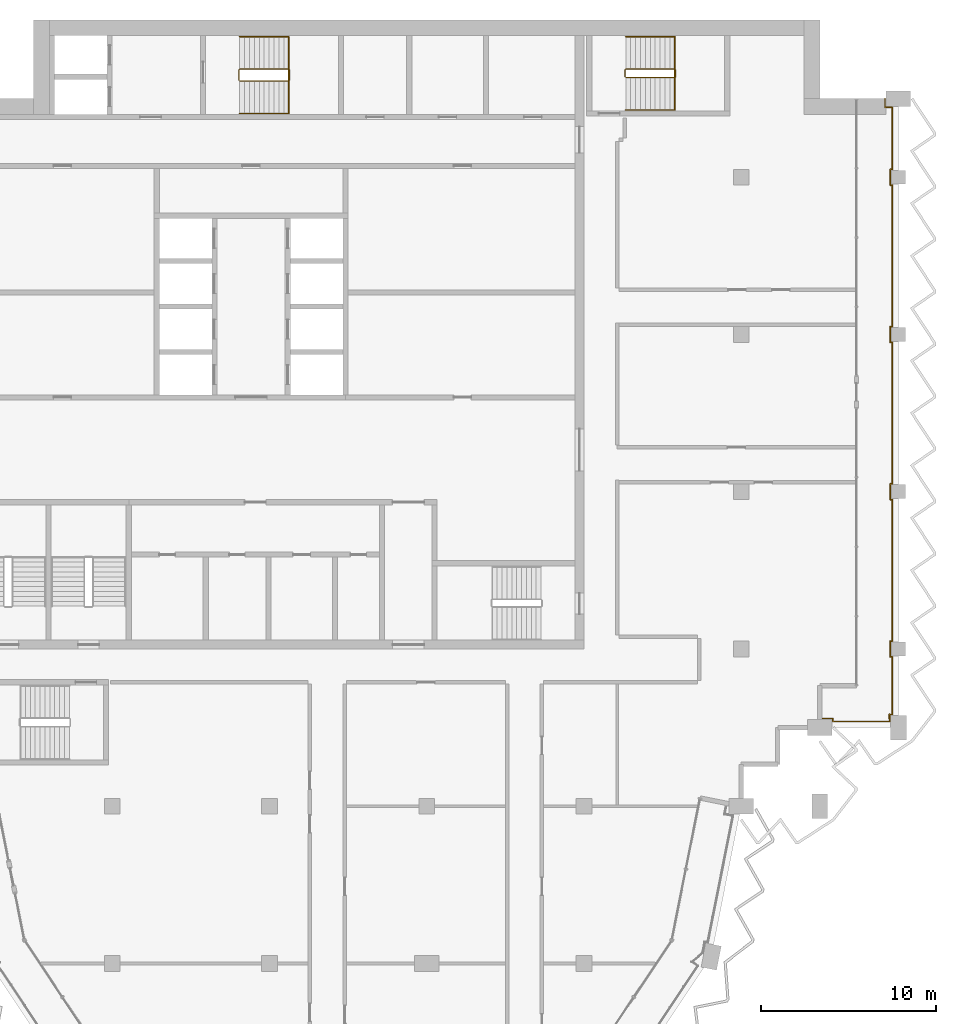
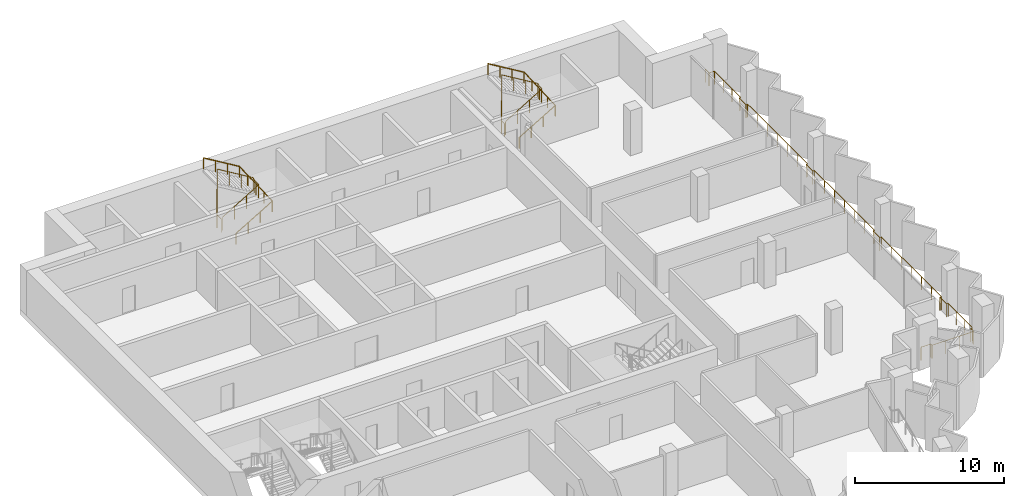
# One storey, part 13 of 13: 5 railings.
"""IFC4 building model written with IfcOpenShell, lengths in metres."""

from ifc_helpers import new_model, si_unit, direction, frame, origin, origin_2d, place, context, subcontext, project, spatial, circle, extrude, material, type_object, element, save


model = new_model("IFC4")

# Units and contexts
model_context = context("Model", 3, precision=1e-05, world=origin(), true_north=direction((0.0, 1.0)))
body_context = subcontext(model_context, "Body", "Model", "MODEL_VIEW")
ifc_project = project(units=[si_unit("LENGTHUNIT", "METRE"), si_unit("AREAUNIT", "SQUARE_METRE"), si_unit("VOLUMEUNIT", "CUBIC_METRE"), si_unit("PLANEANGLEUNIT", "RADIAN"), si_unit("MASSUNIT", "GRAM", prefix="KILO")], contexts=[model_context])

# Site, building, storey
site_placement = place(None, origin())
site = spatial("IfcSite", under=ifc_project, at=site_placement, CompositionType="ELEMENT")
building_placement = place(site_placement, origin())
building = spatial("IfcBuilding", under=site, at=building_placement, Name="Hunhe Ridgeline Campus", CompositionType="ELEMENT")
storey_placement = place(building_placement, frame((0.0, 0.0, 280.800048828125)))
storey = spatial("IfcBuildingStorey", under=building, at=storey_placement, Name="L72", CompositionType="ELEMENT", Elevation=280.800048828125)

# Railings
ifc_material_1 = material(Name="Steel Q355", Category="steel")
railing_type_1 = type_object("IfcRailingType", Name="Loggia guard 1100 Steel Q355", PredefinedType="GUARDRAIL", material=ifc_material_1)
railing_1_placement = place(storey_placement, frame((49.5, 59.02001953125, 0.0)))
element("IfcRailing", 1, at=railing_1_placement, inside=storey, type_object=railing_type_1, Name="Loggia guard 2", PredefinedType="GUARDRAIL", context=body_context, shape_type="SweptSolid", body=[
    extrude(circle(Radius=0.02392578125, at=origin_2d()), frame((0.0, 0.0, 1.076171875), z_axis=(1.0, 0.0, 0.0), x_axis=(0.0, 1.0, 0.0)), (0.0, 0.0, 1.0), 0.75),
    extrude(circle(Radius=0.02392578125, at=origin_2d()), frame((0.75, 0.0, 1.076171875), z_axis=(0.0, -1.0, 0.0), x_axis=(1.0, 0.0, 0.0)), (0.0, 0.0, 1.0), 0.169921875),
    extrude(circle(Radius=0.02392578125, at=origin_2d()), frame((0.75, -0.169921875, 1.076171875), z_axis=(1.0, 0.0, 0.0), x_axis=(0.0, 1.0, 0.0)), (0.0, 0.0, 1.0), 3.25),
    extrude(circle(Radius=0.02392578125, at=origin_2d()), frame((4.0, -0.169921875, 1.076171875), z_axis=(0.0, 1.0, 0.0), x_axis=(-1.0, 0.0, 0.0)), (0.0, 0.0, 1.0), 0.419921875),
    extrude(circle(Radius=0.02392578125, at=origin_2d()), frame((4.0, 0.25, 1.076171875), z_axis=(-0.079822602517, -0.996809085095, 0.0), x_axis=(0.996809085095, -0.079822602517, 0.0)), (0.0, 0.0, 1.0), 0.250732421875),
    extrude(circle(Radius=0.02392578125, at=origin_2d()), frame((3.97998046875, 0.0, 1.076171875), z_axis=(0.0, 1.0, 0.0), x_axis=(-1.0, 0.0, 0.0)), (0.0, 0.0, 1.0), 0.22998046875),
    extrude(circle(Radius=0.02392578125, at=origin_2d()), frame((3.97998046875, 0.22998046875, 1.076171875), z_axis=(1.0, 0.0, 0.0), x_axis=(0.0, 1.0, 0.0)), (0.0, 0.0, 1.0), 0.169921875),
    extrude(circle(Radius=0.02392578125, at=origin_2d()), frame((4.14990234375, 0.22998046875, 1.076171875), z_axis=(0.0, 1.0, 0.0), x_axis=(-1.0, 0.0, 0.0)), (0.0, 0.0, 1.0), 3.300048828125),
    extrude(circle(Radius=0.02392578125, at=origin_2d()), frame((4.14990234375, 3.530029296875, 1.076171875), z_axis=(-1.0, 0.0, 0.0), x_axis=(0.0, -1.0, 0.0)), (0.0, 0.0, 1.0), 0.119873046875),
    extrude(circle(Radius=0.02392578125, at=origin_2d()), frame((4.030029296875, 3.530029296875, 1.076171875), z_axis=(0.0, 1.0, 0.0), x_axis=(-1.0, 0.0, 0.0)), (0.0, 0.0, 1.0), 0.89990234375),
    extrude(circle(Radius=0.02392578125, at=origin_2d()), frame((4.030029296875, 4.429931640625, 1.076171875), z_axis=(1.0, 0.0, 0.0), x_axis=(0.0, 1.0, 0.0)), (0.0, 0.0, 1.0), 0.119873046875),
    extrude(circle(Radius=0.02392578125, at=origin_2d()), frame((4.14990234375, 4.429931640625, 1.076171875), z_axis=(0.0, 1.0, 0.0), x_axis=(-1.0, 0.0, 0.0)), (0.0, 0.0, 1.0), 8.10009765625),
    extrude(circle(Radius=0.02392578125, at=origin_2d()), frame((4.14990234375, 12.530029296875, 1.076171875), z_axis=(-1.0, 0.0, 0.0), x_axis=(0.0, -1.0, 0.0)), (0.0, 0.0, 1.0), 0.119873046875),
    extrude(circle(Radius=0.02392578125, at=origin_2d()), frame((4.030029296875, 12.530029296875, 1.076171875), z_axis=(0.0, 1.0, 0.0), x_axis=(-1.0, 0.0, 0.0)), (0.0, 0.0, 1.0), 0.89990234375),
    extrude(circle(Radius=0.02392578125, at=origin_2d()), frame((4.030029296875, 13.429931640625, 1.076171875), z_axis=(1.0, 0.0, 0.0), x_axis=(0.0, 1.0, 0.0)), (0.0, 0.0, 1.0), 0.119873046875),
    extrude(circle(Radius=0.02392578125, at=origin_2d()), frame((4.14990234375, 13.429931640625, 1.076171875), z_axis=(0.0, 1.0, 0.0), x_axis=(-1.0, 0.0, 0.0)), (0.0, 0.0, 1.0), 8.10009765625),
    extrude(circle(Radius=0.02392578125, at=origin_2d()), frame((4.14990234375, 21.530029296875, 1.076171875), z_axis=(-1.0, 0.0, 0.0), x_axis=(0.0, -1.0, 0.0)), (0.0, 0.0, 1.0), 0.119873046875),
    extrude(circle(Radius=0.02392578125, at=origin_2d()), frame((4.030029296875, 21.530029296875, 1.076171875), z_axis=(0.0, 1.0, 0.0), x_axis=(-1.0, 0.0, 0.0)), (0.0, 0.0, 1.0), 0.89990234375),
    extrude(circle(Radius=0.02392578125, at=origin_2d()), frame((4.030029296875, 22.429931640625, 1.076171875), z_axis=(1.0, 0.0, 0.0), x_axis=(0.0, 1.0, 0.0)), (0.0, 0.0, 1.0), 0.119873046875),
    extrude(circle(Radius=0.02392578125, at=origin_2d()), frame((4.14990234375, 22.429931640625, 1.076171875), z_axis=(0.0, 1.0, 0.0), x_axis=(-1.0, 0.0, 0.0)), (0.0, 0.0, 1.0), 8.10009765625),
    extrude(circle(Radius=0.02392578125, at=origin_2d()), frame((4.14990234375, 30.530029296875, 1.076171875), z_axis=(-1.0, 0.0, 0.0), x_axis=(0.0, -1.0, 0.0)), (0.0, 0.0, 1.0), 0.119873046875),
    extrude(circle(Radius=0.02392578125, at=origin_2d()), frame((4.030029296875, 30.530029296875, 1.076171875), z_axis=(0.0, 1.0, 0.0), x_axis=(-1.0, 0.0, 0.0)), (0.0, 0.0, 1.0), 0.89990234375),
    extrude(circle(Radius=0.02392578125, at=origin_2d()), frame((4.030029296875, 31.429931640625, 1.076171875), z_axis=(1.0, 0.0, 0.0), x_axis=(0.0, 1.0, 0.0)), (0.0, 0.0, 1.0), 0.119873046875),
    extrude(circle(Radius=0.02392578125, at=origin_2d()), frame((4.14990234375, 31.429931640625, 1.076171875), z_axis=(0.0, 1.0, 0.0), x_axis=(-1.0, 0.0, 0.0)), (0.0, 0.0, 1.0), 3.550048828125),
    extrude(circle(Radius=0.02392578125, at=origin_2d()), frame((4.14990234375, 34.97998046875, 1.076171875), z_axis=(-1.0, 0.0, 0.0), x_axis=(0.0, -1.0, 0.0)), (0.0, 0.0, 1.0), 0.419921875),
    extrude(circle(Radius=0.02392578125, at=origin_2d()), frame((3.72998046875, 34.97998046875, 1.076171875), z_axis=(0.0, 1.0, 0.0), x_axis=(-1.0, 0.0, 0.0)), (0.0, 0.0, 1.0), 0.5),
    extrude(circle(Radius=0.02099609375, at=origin_2d()), origin(), (0.0, 0.0, 1.0), 1.052001953125),
    extrude(circle(Radius=0.02099609375, at=origin_2d()), frame((0.75, 0.0, 0.0)), (0.0, 0.0, 1.0), 1.052001953125),
    extrude(circle(Radius=0.02099609375, at=origin_2d()), frame((0.75, -0.169921875, 0.0)), (0.0, 0.0, 1.0), 1.052001953125),
    extrude(circle(Radius=0.02099609375, at=origin_2d()), frame((1.833251953125, -0.169921875, 0.0)), (0.0, 0.0, 1.0), 1.052001953125),
    extrude(circle(Radius=0.02099609375, at=origin_2d()), frame((2.916748046875, -0.169921875, 0.0)), (0.0, 0.0, 1.0), 1.052001953125),
    extrude(circle(Radius=0.02099609375, at=origin_2d()), frame((4.0, -0.169921875, 0.0)), (0.0, 0.0, 1.0), 1.052001953125),
    extrude(circle(Radius=0.02099609375, at=origin_2d()), frame((4.0, 0.25, 0.0)), (0.0, 0.0, 1.0), 1.052001953125),
    extrude(circle(Radius=0.02099609375, at=origin_2d()), frame((3.97998046875, 0.0, 0.0)), (0.0, 0.0, 1.0), 1.052001953125),
    extrude(circle(Radius=0.02099609375, at=origin_2d()), frame((3.97998046875, 0.22998046875, 0.0)), (0.0, 0.0, 1.0), 1.052001953125),
    extrude(circle(Radius=0.02099609375, at=origin_2d()), frame((4.14990234375, 0.22998046875, 0.0)), (0.0, 0.0, 1.0), 1.052001953125),
    extrude(circle(Radius=0.02099609375, at=origin_2d()), frame((4.14990234375, 1.330078125, 0.0)), (0.0, 0.0, 1.0), 1.052001953125),
    extrude(circle(Radius=0.02099609375, at=origin_2d()), frame((4.14990234375, 2.429931640625, 0.0)), (0.0, 0.0, 1.0), 1.052001953125),
    extrude(circle(Radius=0.02099609375, at=origin_2d()), frame((4.14990234375, 3.530029296875, 0.0)), (0.0, 0.0, 1.0), 1.052001953125),
    extrude(circle(Radius=0.02099609375, at=origin_2d()), frame((4.030029296875, 3.530029296875, 0.0)), (0.0, 0.0, 1.0), 1.052001953125),
    extrude(circle(Radius=0.02099609375, at=origin_2d()), frame((4.030029296875, 4.429931640625, 0.0)), (0.0, 0.0, 1.0), 1.052001953125),
    extrude(circle(Radius=0.02099609375, at=origin_2d()), frame((4.14990234375, 4.429931640625, 0.0)), (0.0, 0.0, 1.0), 1.052001953125),
    extrude(circle(Radius=0.02099609375, at=origin_2d()), frame((4.14990234375, 5.780029296875, 0.0)), (0.0, 0.0, 1.0), 1.052001953125),
    extrude(circle(Radius=0.02099609375, at=origin_2d()), frame((4.14990234375, 7.1298828125, 0.0)), (0.0, 0.0, 1.0), 1.052001953125),
    extrude(circle(Radius=0.02099609375, at=origin_2d()), frame((4.14990234375, 8.47998046875, 0.0)), (0.0, 0.0, 1.0), 1.052001953125),
    extrude(circle(Radius=0.02099609375, at=origin_2d()), frame((4.14990234375, 9.830078125, 0.0)), (0.0, 0.0, 1.0), 1.052001953125),
    extrude(circle(Radius=0.02099609375, at=origin_2d()), frame((4.14990234375, 11.179931640625, 0.0)), (0.0, 0.0, 1.0), 1.052001953125),
    extrude(circle(Radius=0.02099609375, at=origin_2d()), frame((4.14990234375, 12.530029296875, 0.0)), (0.0, 0.0, 1.0), 1.052001953125),
    extrude(circle(Radius=0.02099609375, at=origin_2d()), frame((4.030029296875, 12.530029296875, 0.0)), (0.0, 0.0, 1.0), 1.052001953125),
    extrude(circle(Radius=0.02099609375, at=origin_2d()), frame((4.030029296875, 13.429931640625, 0.0)), (0.0, 0.0, 1.0), 1.052001953125),
    extrude(circle(Radius=0.02099609375, at=origin_2d()), frame((4.14990234375, 13.429931640625, 0.0)), (0.0, 0.0, 1.0), 1.052001953125),
    extrude(circle(Radius=0.02099609375, at=origin_2d()), frame((4.14990234375, 14.780029296875, 0.0)), (0.0, 0.0, 1.0), 1.052001953125),
    extrude(circle(Radius=0.02099609375, at=origin_2d()), frame((4.14990234375, 16.1298828125, 0.0)), (0.0, 0.0, 1.0), 1.052001953125),
    extrude(circle(Radius=0.02099609375, at=origin_2d()), frame((4.14990234375, 17.47998046875, 0.0)), (0.0, 0.0, 1.0), 1.052001953125),
    extrude(circle(Radius=0.02099609375, at=origin_2d()), frame((4.14990234375, 18.830078125, 0.0)), (0.0, 0.0, 1.0), 1.052001953125),
    extrude(circle(Radius=0.02099609375, at=origin_2d()), frame((4.14990234375, 20.179931640625, 0.0)), (0.0, 0.0, 1.0), 1.052001953125),
    extrude(circle(Radius=0.02099609375, at=origin_2d()), frame((4.14990234375, 21.530029296875, 0.0)), (0.0, 0.0, 1.0), 1.052001953125),
    extrude(circle(Radius=0.02099609375, at=origin_2d()), frame((4.030029296875, 21.530029296875, 0.0)), (0.0, 0.0, 1.0), 1.052001953125),
    extrude(circle(Radius=0.02099609375, at=origin_2d()), frame((4.030029296875, 22.429931640625, 0.0)), (0.0, 0.0, 1.0), 1.052001953125),
    extrude(circle(Radius=0.02099609375, at=origin_2d()), frame((4.14990234375, 22.429931640625, 0.0)), (0.0, 0.0, 1.0), 1.052001953125),
    extrude(circle(Radius=0.02099609375, at=origin_2d()), frame((4.14990234375, 23.780029296875, 0.0)), (0.0, 0.0, 1.0), 1.052001953125),
    extrude(circle(Radius=0.02099609375, at=origin_2d()), frame((4.14990234375, 25.1298828125, 0.0)), (0.0, 0.0, 1.0), 1.052001953125),
    extrude(circle(Radius=0.02099609375, at=origin_2d()), frame((4.14990234375, 26.47998046875, 0.0)), (0.0, 0.0, 1.0), 1.052001953125),
    extrude(circle(Radius=0.02099609375, at=origin_2d()), frame((4.14990234375, 27.830078125, 0.0)), (0.0, 0.0, 1.0), 1.052001953125),
    extrude(circle(Radius=0.02099609375, at=origin_2d()), frame((4.14990234375, 29.179931640625, 0.0)), (0.0, 0.0, 1.0), 1.052001953125),
    extrude(circle(Radius=0.02099609375, at=origin_2d()), frame((4.14990234375, 30.530029296875, 0.0)), (0.0, 0.0, 1.0), 1.052001953125),
    extrude(circle(Radius=0.02099609375, at=origin_2d()), frame((4.030029296875, 30.530029296875, 0.0)), (0.0, 0.0, 1.0), 1.052001953125),
    extrude(circle(Radius=0.02099609375, at=origin_2d()), frame((4.030029296875, 31.429931640625, 0.0)), (0.0, 0.0, 1.0), 1.052001953125),
    extrude(circle(Radius=0.02099609375, at=origin_2d()), frame((4.14990234375, 31.429931640625, 0.0)), (0.0, 0.0, 1.0), 1.052001953125),
    extrude(circle(Radius=0.02099609375, at=origin_2d()), frame((4.14990234375, 32.61328125, 0.0)), (0.0, 0.0, 1.0), 1.052001953125),
    extrude(circle(Radius=0.02099609375, at=origin_2d()), frame((4.14990234375, 33.796630859375, 0.0)), (0.0, 0.0, 1.0), 1.052001953125),
    extrude(circle(Radius=0.02099609375, at=origin_2d()), frame((4.14990234375, 34.97998046875, 0.0)), (0.0, 0.0, 1.0), 1.052001953125),
    extrude(circle(Radius=0.02099609375, at=origin_2d()), frame((3.72998046875, 34.97998046875, 0.0)), (0.0, 0.0, 1.0), 1.052001953125),
    extrude(circle(Radius=0.02099609375, at=origin_2d()), frame((3.72998046875, 35.47998046875, 0.0)), (0.0, 0.0, 1.0), 1.052001953125),
])
ifc_material_2 = material(Name="Stainless steel balustrade", Category="steel")
railing_type_2 = type_object("IfcRailingType", Name="Stair guard 1100 stainless", PredefinedType="GUARDRAIL", material=ifc_material_2)
railing_2_placement = place(storey_placement, frame((16.300048828125, 95.5, 0.168212890625)))
element("IfcRailing", 2, at=railing_2_placement, inside=storey, type_object=railing_type_2, Name="L72 stair S1 guard", PredefinedType="GUARDRAIL", context=body_context, shape_type="SweptSolid", body=[
    extrude(circle(Radius=0.02392578125, at=origin_2d()), frame((0.0, 0.0, 1.076171875), z_axis=(0.857275202839, 0.0, 0.514858452973), x_axis=(0.0, 1.0, 0.0)), (0.0, 0.0, 1.0), 3.26611328125),
    extrude(circle(Radius=0.02392578125, at=origin_2d()), frame((2.800048828125, 0.0, 2.7578125), z_axis=(0.705375805398, 0.708833529934, 0.0), x_axis=(-0.708833529934, 0.705375805398, 0.0)), (0.0, 0.0, 1.0), 0.070556640625),
    extrude(circle(Radius=0.02392578125, at=origin_2d()), frame((2.849853515625, 0.050048828125, 2.7578125), z_axis=(0.0, 1.0, 0.0), x_axis=(-1.0, 0.0, 0.0)), (0.0, 0.0, 1.0), 0.599853515625),
    extrude(circle(Radius=0.02392578125, at=origin_2d()), frame((2.849853515625, 0.64990234375, 2.7578125), z_axis=(-0.273006030465, 0.27434429532, 0.922064485248), x_axis=(-0.708833529934, -0.705375805398, 0.0)), (0.0, 0.0, 1.0), 0.182373046875),
    extrude(circle(Radius=0.02392578125, at=origin_2d()), frame((2.800048828125, 0.699951171875, 2.92578125), z_axis=(-0.857242210791, 0.0, 0.514913383045), x_axis=(0.0, -1.0, 0.0)), (0.0, 0.0, 1.0), 3.266357421875),
    extrude(circle(Radius=0.02392578125, at=origin_2d()), frame((0.0, 0.699951171875, 4.60791015625), z_axis=(-0.013524414389, -0.013524414389, -0.999817073484), x_axis=(0.707106781187, -0.707106781187, 0.0)), (0.0, 0.0, 1.0), 3.70068359375),
    extrude(circle(Radius=0.02392578125, at=origin_2d()), frame((-0.050048828125, 0.64990234375, 0.90771484375), z_axis=(0.0, -1.0, 0.0), x_axis=(1.0, 0.0, 0.0)), (0.0, 0.0, 1.0), 0.599853515625),
    extrude(circle(Radius=0.02099609375, at=origin_2d()), origin(), (0.0, 0.0, 1.0), 1.052001953125),
    extrude(circle(Radius=0.02099609375, at=origin_2d()), frame((0.933349609375, 0.0, 0.560546875)), (0.0, 0.0, 1.0), 1.052001953125),
    extrude(circle(Radius=0.02099609375, at=origin_2d()), frame((1.86669921875, 0.0, 1.12109375)), (0.0, 0.0, 1.0), 1.052001953125),
    extrude(circle(Radius=0.02099609375, at=origin_2d()), frame((2.800048828125, 0.0, 1.681640625)), (0.0, 0.0, 1.0), 1.052001953125),
    extrude(circle(Radius=0.02099609375, at=origin_2d()), frame((2.849853515625, 0.050048828125, 1.681640625)), (0.0, 0.0, 1.0), 1.052001953125),
    extrude(circle(Radius=0.02099609375, at=origin_2d()), frame((2.849853515625, 0.64990234375, 1.681640625)), (0.0, 0.0, 1.0), 1.052001953125),
    extrude(circle(Radius=0.02099609375, at=origin_2d()), frame((2.800048828125, 0.699951171875, 1.849853515625)), (0.0, 0.0, 1.0), 1.052001953125),
    extrude(circle(Radius=0.02099609375, at=origin_2d()), frame((1.86669921875, 0.699951171875, 2.410400390625)), (0.0, 0.0, 1.0), 1.052001953125),
    extrude(circle(Radius=0.02099609375, at=origin_2d()), frame((0.933349609375, 0.699951171875, 2.97119140625)), (0.0, 0.0, 1.0), 1.052001953125),
    extrude(circle(Radius=0.02099609375, at=origin_2d()), frame((0.0, 0.699951171875, 3.53173828125)), (0.0, 0.0, 1.0), 1.052001953125),
    extrude(circle(Radius=0.02099609375, at=origin_2d()), frame((-0.012451171875, 0.6875, 2.606689453125)), (0.0, 0.0, 1.0), 1.052001953125),
    extrude(circle(Radius=0.02099609375, at=origin_2d()), frame((-0.02490234375, 0.6748046875, 1.681640625)), (0.0, 0.0, 1.0), 1.052001953125),
    extrude(circle(Radius=0.02099609375, at=origin_2d()), frame((-0.03759765625, 0.662353515625, 0.7568359375)), (0.0, 0.0, 1.0), 1.052001953125),
    extrude(circle(Radius=0.02099609375, at=origin_2d()), frame((-0.050048828125, 0.64990234375, -0.168212890625)), (0.0, 0.0, 1.0), 1.052001953125),
    extrude(circle(Radius=0.02099609375, at=origin_2d()), frame((-0.050048828125, 0.050048828125, -0.168212890625)), (0.0, 0.0, 1.0), 1.052001953125),
])
railing_3_placement = place(storey_placement, frame((38.39990234375, 95.699951171875, 0.168212890625)))
element("IfcRailing", 3, at=railing_3_placement, inside=storey, type_object=railing_type_2, Name="L72 stair E1 guard", PredefinedType="GUARDRAIL", context=body_context, shape_type="SweptSolid", body=[
    extrude(circle(Radius=0.02392578125, at=origin_2d()), frame((0.0, 0.0, 1.076171875), z_axis=(0.857275202839, 0.0, 0.514858452973), x_axis=(0.0, 1.0, 0.0)), (0.0, 0.0, 1.0), 3.26611328125),
    extrude(circle(Radius=0.02392578125, at=origin_2d()), frame((2.800048828125, 0.0, 2.7578125), z_axis=(0.707106781187, 0.707106781187, 0.0), x_axis=(-0.707106781187, 0.707106781187, 0.0)), (0.0, 0.0, 1.0), 0.07080078125),
    extrude(circle(Radius=0.02392578125, at=origin_2d()), frame((2.85009765625, 0.050048828125, 2.7578125), z_axis=(0.0, 1.0, 0.0), x_axis=(-1.0, 0.0, 0.0)), (0.0, 0.0, 1.0), 0.39990234375),
    extrude(circle(Radius=0.02392578125, at=origin_2d()), frame((2.85009765625, 0.449951171875, 2.7578125), z_axis=(-0.274243871929, 0.274243871929, 0.92172696468), x_axis=(-0.707106781187, -0.707106781187, 0.0)), (0.0, 0.0, 1.0), 0.1826171875),
    extrude(circle(Radius=0.02392578125, at=origin_2d()), frame((2.800048828125, 0.5, 2.92578125), z_axis=(-0.857242210791, 0.0, 0.514913383045), x_axis=(0.0, -1.0, 0.0)), (0.0, 0.0, 1.0), 3.266357421875),
    extrude(circle(Radius=0.02392578125, at=origin_2d()), frame((0.0, 0.5, 4.60791015625), z_axis=(-0.013458453615, -0.013524426427, -0.999817963389), x_axis=(0.708833529934, -0.705375805398, 0.0)), (0.0, 0.0, 1.0), 3.70068359375),
    extrude(circle(Radius=0.02392578125, at=origin_2d()), frame((-0.0498046875, 0.449951171875, 0.90771484375), z_axis=(0.0, -1.0, 0.0), x_axis=(1.0, 0.0, 0.0)), (0.0, 0.0, 1.0), 0.39990234375),
    extrude(circle(Radius=0.02099609375, at=origin_2d()), origin(), (0.0, 0.0, 1.0), 1.052001953125),
    extrude(circle(Radius=0.02099609375, at=origin_2d()), frame((0.933349609375, 0.0, 0.560546875)), (0.0, 0.0, 1.0), 1.052001953125),
    extrude(circle(Radius=0.02099609375, at=origin_2d()), frame((1.86669921875, 0.0, 1.12109375)), (0.0, 0.0, 1.0), 1.052001953125),
    extrude(circle(Radius=0.02099609375, at=origin_2d()), frame((2.800048828125, 0.0, 1.681640625)), (0.0, 0.0, 1.0), 1.052001953125),
    extrude(circle(Radius=0.02099609375, at=origin_2d()), frame((2.85009765625, 0.050048828125, 1.681640625)), (0.0, 0.0, 1.0), 1.052001953125),
    extrude(circle(Radius=0.02099609375, at=origin_2d()), frame((2.85009765625, 0.449951171875, 1.681640625)), (0.0, 0.0, 1.0), 1.052001953125),
    extrude(circle(Radius=0.02099609375, at=origin_2d()), frame((2.800048828125, 0.5, 1.849853515625)), (0.0, 0.0, 1.0), 1.052001953125),
    extrude(circle(Radius=0.02099609375, at=origin_2d()), frame((1.86669921875, 0.5, 2.410400390625)), (0.0, 0.0, 1.0), 1.052001953125),
    extrude(circle(Radius=0.02099609375, at=origin_2d()), frame((0.933349609375, 0.5, 2.97119140625)), (0.0, 0.0, 1.0), 1.052001953125),
    extrude(circle(Radius=0.02099609375, at=origin_2d()), frame((0.0, 0.5, 3.53173828125)), (0.0, 0.0, 1.0), 1.052001953125),
    extrude(circle(Radius=0.02099609375, at=origin_2d()), frame((-0.012451171875, 0.487548828125, 2.606689453125)), (0.0, 0.0, 1.0), 1.052001953125),
    extrude(circle(Radius=0.02099609375, at=origin_2d()), frame((-0.02490234375, 0.47509765625, 1.681640625)), (0.0, 0.0, 1.0), 1.052001953125),
    extrude(circle(Radius=0.02099609375, at=origin_2d()), frame((-0.037353515625, 0.46240234375, 0.7568359375)), (0.0, 0.0, 1.0), 1.052001953125),
    extrude(circle(Radius=0.02099609375, at=origin_2d()), frame((-0.0498046875, 0.449951171875, -0.168212890625)), (0.0, 0.0, 1.0), 1.052001953125),
    extrude(circle(Radius=0.02099609375, at=origin_2d()), frame((-0.0498046875, 0.050048828125, -0.168212890625)), (0.0, 0.0, 1.0), 1.052001953125),
])
ifc_material_3 = material(Name="Stainless steel handrail", Category="steel")
railing_type_3 = type_object("IfcRailingType", Name="Stair handrail 900 stainless", PredefinedType="HANDRAIL", material=ifc_material_3)
railing_4_placement = place(storey_placement, frame((16.300048828125, 93.64990234375, 0.168212890625)))
element("IfcRailing", 4, at=railing_4_placement, inside=storey, type_object=railing_type_3, Name="L72 stair S1 handrail", PredefinedType="HANDRAIL", context=body_context, shape_type="SweptSolid", body=[
    extrude(circle(Radius=0.02392578125, at=origin_2d()), frame((0.0, 0.0, 0.8759765625), z_axis=(0.857275202839, 0.0, 0.514858452973), x_axis=(0.0, 1.0, 0.0)), (0.0, 0.0, 1.0), 3.26611328125),
    extrude(circle(Radius=0.02392578125, at=origin_2d()), frame((2.800048828125, 0.0, 2.5576171875), z_axis=(0.0, 0.999270074432, 0.038201025428), x_axis=(-1.0, 0.0, 0.0)), (0.0, 0.0, 1.0), 4.4033203125),
    extrude(circle(Radius=0.02392578125, at=origin_2d()), frame((2.800048828125, 4.400146484375, 2.7255859375), z_axis=(-0.857242210791, 0.0, 0.514913383045), x_axis=(0.0, -1.0, 0.0)), (0.0, 0.0, 1.0), 3.266357421875),
    extrude(circle(Radius=0.02099609375, at=origin_2d()), origin(), (0.0, 0.0, 1.0), 0.851806640625),
    extrude(circle(Radius=0.02099609375, at=origin_2d()), frame((0.933349609375, 0.0, 0.560546875)), (0.0, 0.0, 1.0), 0.851806640625),
    extrude(circle(Radius=0.02099609375, at=origin_2d()), frame((1.86669921875, 0.0, 1.12109375)), (0.0, 0.0, 1.0), 0.851806640625),
    extrude(circle(Radius=0.02099609375, at=origin_2d()), frame((2.800048828125, 0.0, 1.681640625)), (0.0, 0.0, 1.0), 0.851806640625),
    extrude(circle(Radius=0.02099609375, at=origin_2d()), frame((2.800048828125, 1.10009765625, 1.7236328125)), (0.0, 0.0, 1.0), 0.851806640625),
    extrude(circle(Radius=0.02099609375, at=origin_2d()), frame((2.800048828125, 2.2001953125, 1.765625)), (0.0, 0.0, 1.0), 0.851806640625),
    extrude(circle(Radius=0.02099609375, at=origin_2d()), frame((2.800048828125, 3.300048828125, 1.807861328125)), (0.0, 0.0, 1.0), 0.851806640625),
    extrude(circle(Radius=0.02099609375, at=origin_2d()), frame((2.800048828125, 4.400146484375, 1.849853515625)), (0.0, 0.0, 1.0), 0.851806640625),
    extrude(circle(Radius=0.02099609375, at=origin_2d()), frame((1.86669921875, 4.400146484375, 2.410400390625)), (0.0, 0.0, 1.0), 0.851806640625),
    extrude(circle(Radius=0.02099609375, at=origin_2d()), frame((0.933349609375, 4.400146484375, 2.97119140625)), (0.0, 0.0, 1.0), 0.851806640625),
    extrude(circle(Radius=0.02099609375, at=origin_2d()), frame((0.0, 4.400146484375, 3.53173828125)), (0.0, 0.0, 1.0), 0.851806640625),
])
railing_5_placement = place(storey_placement, frame((38.39990234375, 93.85009765625, 0.168212890625)))
element("IfcRailing", 5, at=railing_5_placement, inside=storey, type_object=railing_type_3, Name="L72 stair E1 handrail", PredefinedType="HANDRAIL", context=body_context, shape_type="SweptSolid", body=[
    extrude(circle(Radius=0.02392578125, at=origin_2d()), frame((0.0, 0.0, 0.8759765625), z_axis=(0.857275202839, 0.0, 0.514858452973), x_axis=(0.0, 1.0, 0.0)), (0.0, 0.0, 1.0), 3.26611328125),
    extrude(circle(Radius=0.02392578125, at=origin_2d()), frame((2.800048828125, 0.0, 2.5576171875), z_axis=(0.0, 0.999198916169, 0.040019069537), x_axis=(-1.0, 0.0, 0.0)), (0.0, 0.0, 1.0), 4.203369140625),
    extrude(circle(Radius=0.02392578125, at=origin_2d()), frame((2.800048828125, 4.199951171875, 2.7255859375), z_axis=(-0.857242210791, 0.0, 0.514913383045), x_axis=(0.0, -1.0, 0.0)), (0.0, 0.0, 1.0), 3.266357421875),
    extrude(circle(Radius=0.02099609375, at=origin_2d()), origin(), (0.0, 0.0, 1.0), 0.851806640625),
    extrude(circle(Radius=0.02099609375, at=origin_2d()), frame((0.933349609375, 0.0, 0.560546875)), (0.0, 0.0, 1.0), 0.851806640625),
    extrude(circle(Radius=0.02099609375, at=origin_2d()), frame((1.86669921875, 0.0, 1.12109375)), (0.0, 0.0, 1.0), 0.851806640625),
    extrude(circle(Radius=0.02099609375, at=origin_2d()), frame((2.800048828125, 0.0, 1.681640625)), (0.0, 0.0, 1.0), 0.851806640625),
    extrude(circle(Radius=0.02099609375, at=origin_2d()), frame((2.800048828125, 1.050048828125, 1.7236328125)), (0.0, 0.0, 1.0), 0.851806640625),
    extrude(circle(Radius=0.02099609375, at=origin_2d()), frame((2.800048828125, 2.10009765625, 1.765625)), (0.0, 0.0, 1.0), 0.851806640625),
    extrude(circle(Radius=0.02099609375, at=origin_2d()), frame((2.800048828125, 3.14990234375, 1.807861328125)), (0.0, 0.0, 1.0), 0.851806640625),
    extrude(circle(Radius=0.02099609375, at=origin_2d()), frame((2.800048828125, 4.199951171875, 1.849853515625)), (0.0, 0.0, 1.0), 0.851806640625),
    extrude(circle(Radius=0.02099609375, at=origin_2d()), frame((1.86669921875, 4.199951171875, 2.410400390625)), (0.0, 0.0, 1.0), 0.851806640625),
    extrude(circle(Radius=0.02099609375, at=origin_2d()), frame((0.933349609375, 4.199951171875, 2.97119140625)), (0.0, 0.0, 1.0), 0.851806640625),
    extrude(circle(Radius=0.02099609375, at=origin_2d()), frame((0.0, 4.199951171875, 3.53173828125)), (0.0, 0.0, 1.0), 0.851806640625),
])

save(model, "model.ifc")
